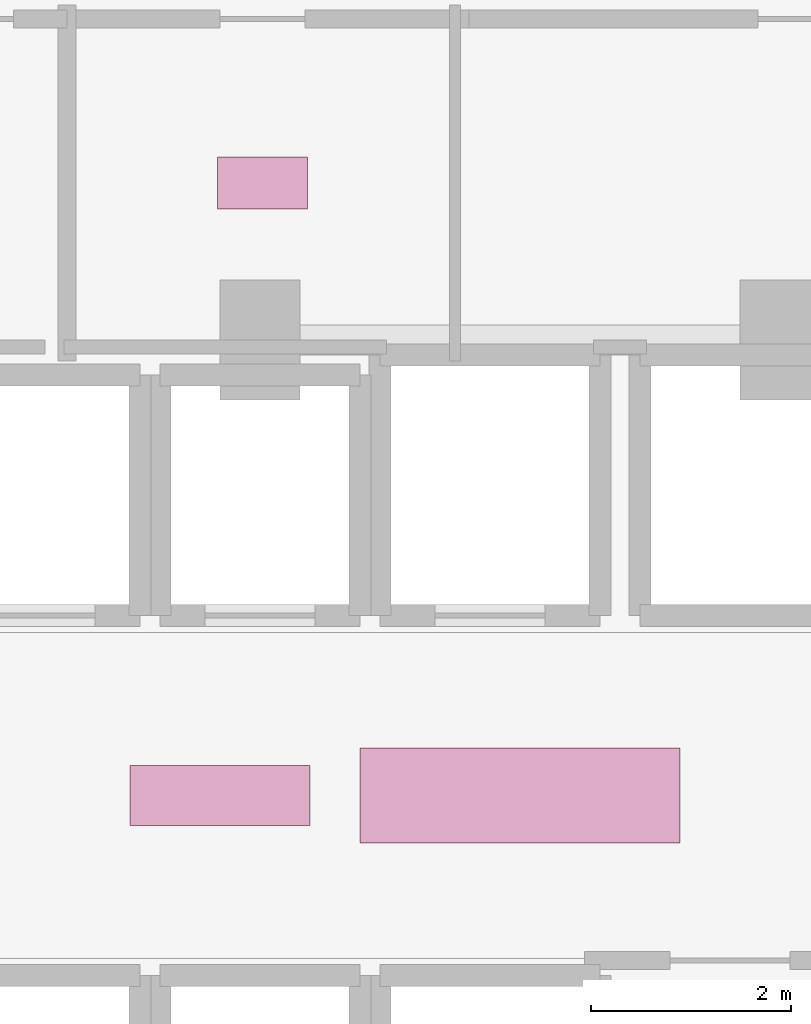
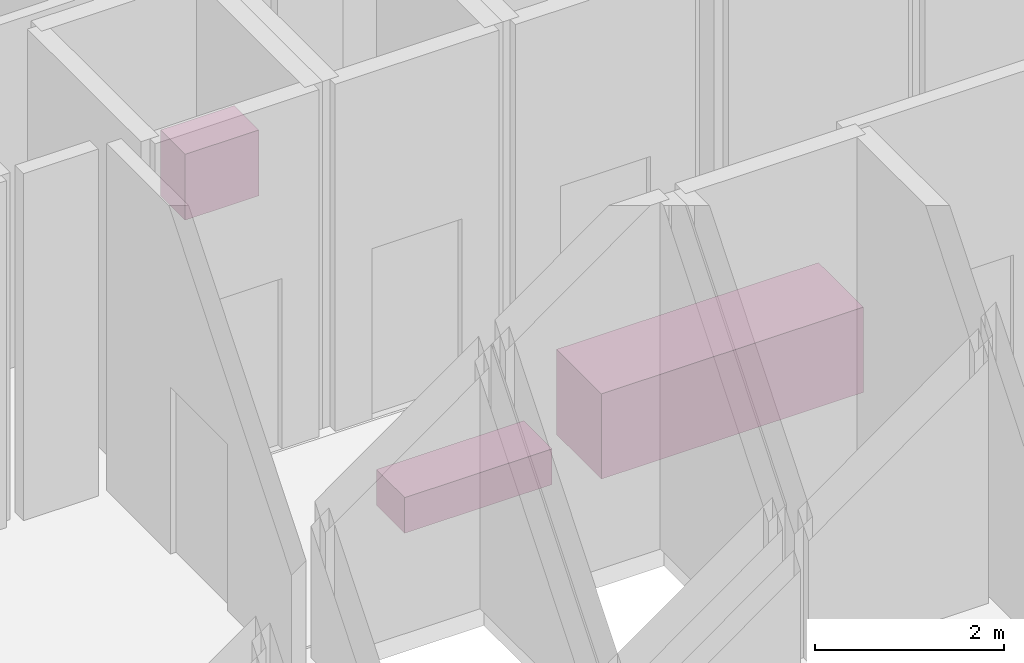
# One storey, part 27 of 27: 3 furnishings.
"""IFC4 building model written with IfcOpenShell, lengths in metres."""

from ifc_helpers import new_model, si_unit, direction, frame, origin, origin_2d, place, context, subcontext, project, spatial, rectangle, extrude, material, type_object, element, save


model = new_model("IFC4")

# Units and contexts
model_context = context("Model", 3, precision=1e-05, world=origin(), true_north=direction((0.0, 1.0)))
body_context = subcontext(model_context, "Body", "Model", "MODEL_VIEW")
ifc_project = project(units=[si_unit("LENGTHUNIT", "METRE"), si_unit("AREAUNIT", "SQUARE_METRE"), si_unit("VOLUMEUNIT", "CUBIC_METRE"), si_unit("PLANEANGLEUNIT", "RADIAN"), si_unit("MASSUNIT", "GRAM", prefix="KILO")], contexts=[model_context])

# Site, building, storey
site_placement = place(None, origin())
site = spatial("IfcSite", under=ifc_project, at=site_placement, CompositionType="ELEMENT")
building_placement = place(site_placement, origin())
building = spatial("IfcBuilding", under=site, at=building_placement, Name="Vorneva Point Tower", CompositionType="ELEMENT")
storey_placement = place(building_placement, frame((0.0, 0.0, 4.800048828125)))
storey = spatial("IfcBuildingStorey", under=building, at=storey_placement, Name="L01", CompositionType="ELEMENT", Elevation=4.800048828125)

# Furnishings
ifc_material_1 = material(Name="Engineered oak fire-rated door leaf", Category="wood")
furniture_type_1 = type_object("IfcFurnitureType", Name="FUR-BNC-1800", AssemblyPlace="NOTDEFINED", PredefinedType="NOTDEFINED", material=ifc_material_1)
furnishing_1_placement = place(storey_placement, frame((35.0, 26.0, -0.005126953125), z_axis=(0.0, 0.0, 1.0), x_axis=(1.0, 0.0, 0.0)))
element("IfcFurnishingElement", 1, at=furnishing_1_placement, inside=storey, type_object=furniture_type_1, Name="L01 Lift Lobby Seating Bench", ObjectType="L01 Lift Lobby Seating Bench", context=body_context, shape_type="SweptSolid", body=[
    extrude(rectangle(XDim=1.800048828125, YDim=0.60009765625, at=origin_2d()), origin(), (0.0, 0.0, 1.0), 0.4599609375),
])
furniture_type_2 = type_object("IfcFurnitureType", Name="FUR-DSK-3200", AssemblyPlace="NOTDEFINED", PredefinedType="NOTDEFINED", material=ifc_material_1)
furnishing_2_placement = place(storey_placement, frame((38.0, 26.0, -0.005126953125), z_axis=(0.0, 0.0, 1.0), x_axis=(1.0, 0.0, 0.0)))
element("IfcFurnishingElement", 2, at=furnishing_2_placement, inside=storey, type_object=furniture_type_2, Name="L01 Reception and Concierge Desk", ObjectType="L01 Reception and Concierge Desk", context=body_context, shape_type="SweptSolid", body=[
    extrude(rectangle(XDim=3.199951171875, YDim=0.949951171875, at=origin_2d()), origin(), (0.0, 0.0, 1.0), 1.10009765625),
])
ifc_material_2 = material(Name="Vitreous china and granite top", Category="masonry")
furniture_type_3 = type_object("IfcFurnitureType", Name="FUR-VAN-900", AssemblyPlace="NOTDEFINED", PredefinedType="NOTDEFINED", material=ifc_material_2)
furnishing_3_placement = place(storey_placement, frame((35.425048828125, 32.1201171875, -0.005126953125), z_axis=(0.0, 0.0, 1.0), x_axis=(1.0, 0.0, 0.0)))
element("IfcFurnishingElement", 3, at=furnishing_3_placement, inside=storey, type_object=furniture_type_3, Name="L01 Accessible WC Vanity Unit", ObjectType="L01 Accessible WC Vanity Unit", context=body_context, shape_type="SweptSolid", body=[
    extrude(rectangle(XDim=0.89990234375, YDim=0.52001953125, at=origin_2d()), origin(), (0.0, 0.0, 1.0), 0.85009765625),
])

save(model, "model.ifc")
